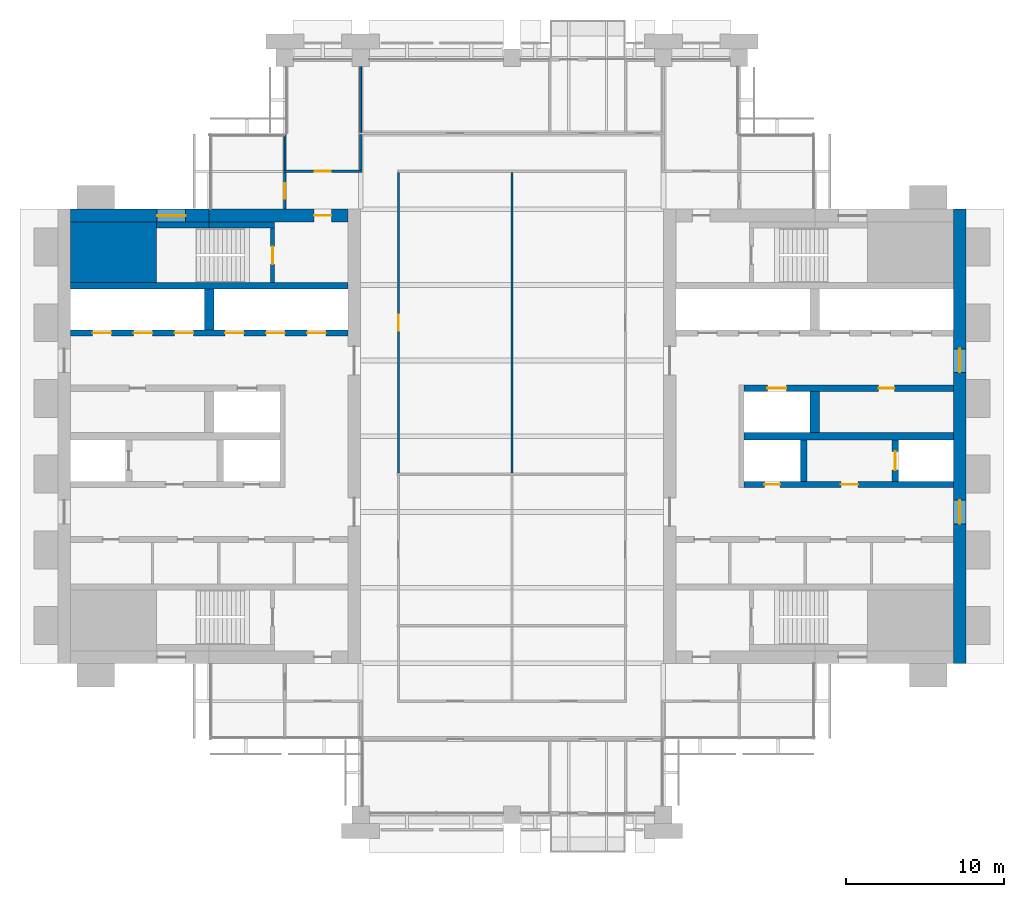
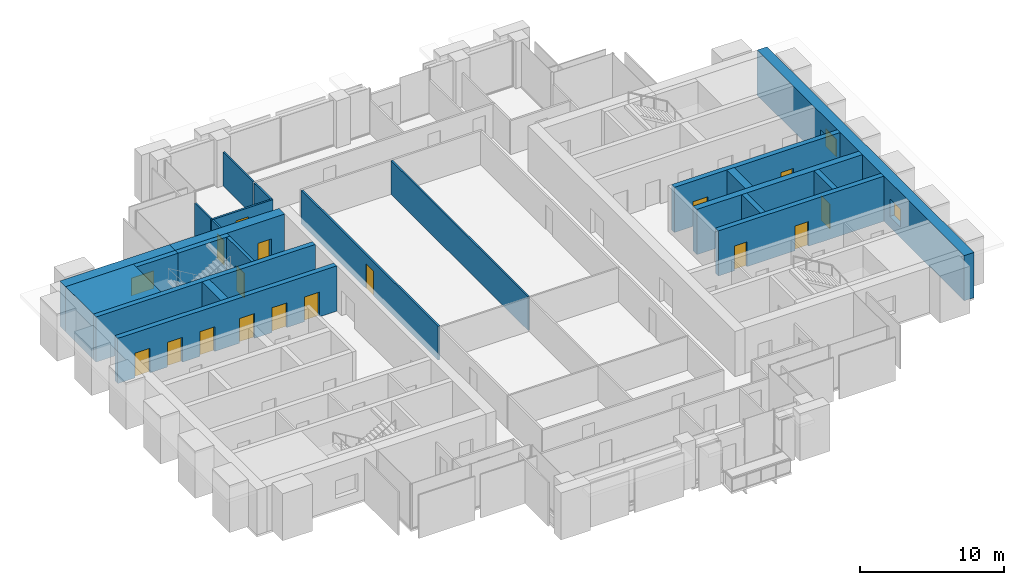
# One storey, part 10 of 14: 23 walls, 16 doors, 3 windows, 19 openings.
"""IFC4 building model written with IfcOpenShell, lengths in metres."""

from ifc_helpers import new_model, si_unit, direction, frame, frame_2d, origin, place, context, subcontext, project, spatial, rectangle, extrude, material, layer, layer_set, type_object, element, fill, save


model = new_model("IFC4")

# Units and contexts
model_context = context("Model", 3, precision=1e-05, world=origin(), true_north=direction((0.0, 1.0)))
body_context = subcontext(model_context, "Body", "Model", "MODEL_VIEW")
ifc_project = project(units=[si_unit("LENGTHUNIT", "METRE"), si_unit("AREAUNIT", "SQUARE_METRE"), si_unit("VOLUMEUNIT", "CUBIC_METRE"), si_unit("PLANEANGLEUNIT", "RADIAN"), si_unit("MASSUNIT", "GRAM", prefix="KILO")], contexts=[model_context])

# Site, building, storey
site_placement = place(None, origin())
site = spatial("IfcSite", under=ifc_project, at=site_placement, CompositionType="ELEMENT")
building_placement = place(site_placement, origin())
building = spatial("IfcBuilding", under=site, at=building_placement, Name="Baori Bourse Tower", CompositionType="ELEMENT")
storey_placement = place(building_placement, frame((0.0, 0.0, 197.199951171875)))
storey = spatial("IfcBuildingStorey", under=building, at=storey_placement, Name="L42", CompositionType="ELEMENT", Elevation=197.199951171875)

# Wall
ifc_material_1 = material(Name="Concrete f'c 50 MPa", Category="concrete")
wall_type_1 = type_object("IfcWallType", Name="Core corner block f'c 50", PredefinedType="SHEAR", material=ifc_material_1)
wall_1_placement = place(storey_placement, frame((0.800048828125, 35.675048828125, 0.0), z_axis=(0.0, 0.0, 1.0), x_axis=(1.0, 0.0, 0.0)))
element("IfcWall", 1, at=wall_1_placement, inside=storey, type_object=wall_type_1, Name="Core wall W24", PredefinedType="SHEAR", context=body_context, shape_type="SweptSolid", body=[
    extrude(rectangle(XDim=5.449951171875, YDim=3.85009765625, at=frame_2d((2.72509765625, 0.0))), origin(), (0.0, 0.0, 1.0), 3.840087890625),
])

# Wall, opening, window
ifc_material_2 = material(Name="Concrete f'c 50 MPa", Category="concrete")
ifc_layer_1 = layer(ifc_material_2, 0.800048828125)
ifc_layer_set_1 = layer_set([ifc_layer_1], Name="Core wall 800 f'c 50")
wall_type_2 = type_object("IfcWallType", Name="Core wall 800 f'c 50", PredefinedType="SHEAR", material=ifc_layer_set_1)
wall_2_placement = place(storey_placement, frame((0.800048828125, 38.0, 0.0), z_axis=(0.0, 0.0, 1.0), x_axis=(1.0, 0.0, 0.0)))
wall_2 = element("IfcWall", 2, at=wall_2_placement, inside=storey, type_object=wall_type_2, Name="Core wall W28", PredefinedType="SHEAR", context=body_context, shape_type="SweptSolid", body=[
    extrude(rectangle(XDim=8.800048828125, YDim=0.800048828125, at=frame_2d((4.39990234375, 0.0))), origin(), (0.0, 0.0, 1.0), 3.840087890625),
])
opening_1_placement = place(wall_2_placement, frame((5.5, 0.0, 0.89990234375)))
opening_1 = element("IfcOpeningElement", 3, at=opening_1_placement, cuts=wall_2, Name="Opening L42-KW104", PredefinedType="OPENING", context=body_context, shape_type="SweptSolid", body=[
    extrude(rectangle(XDim=1.800048828125, YDim=1.5, at=frame_2d((0.89990234375, 0.75))), frame((0.0, 0.409912109375, 0.0), z_axis=(0.0, -1.0, 0.0), x_axis=(1.0, 0.0, 0.0)), (0.0, 0.0, 1.0), 0.820068359375),
])
ifc_material_3 = material(Name="Pale anodised aluminium", Category="aluminium")
window_type_1 = type_object("IfcWindowType", Name="Stair window 1800 x 1500", PartitioningType="SINGLE_PANEL", PredefinedType="WINDOW", material=ifc_material_3)
window_1_placement = place(opening_1_placement, origin())
window_1 = element("IfcWindow", 4, at=window_1_placement, inside=storey, type_object=window_type_1, Name="Stair window W L42 4", OverallHeight=1.5, OverallWidth=1.800048828125, PartitioningType="SINGLE_PANEL", PredefinedType="WINDOW", context=body_context, shape_type="SweptSolid", body=[
    extrude(rectangle(XDim=1.800048828125, YDim=1.5, at=frame_2d((0.89990234375, 0.75))), frame((0.0, 0.030029296875, 0.0), z_axis=(0.0, -1.0, 0.0), x_axis=(1.0, 0.0, 0.0)), (0.0, 0.0, 1.0), 0.06005859375),
])
fill(opening_1, window_1)

# Wall, opening, door
wall_3_placement = place(storey_placement, frame((9.60009765625, 38.0, 0.0), z_axis=(0.0, 0.0, 1.0), x_axis=(1.0, 0.0, 0.0)))
wall_3 = element("IfcWall", 5, at=wall_3_placement, inside=storey, type_object=wall_type_2, Name="Core wall W29", PredefinedType="SHEAR", context=body_context, shape_type="SweptSolid", body=[
    extrude(rectangle(XDim=8.7998046875, YDim=0.800048828125, at=frame_2d((4.39990234375, 0.0))), origin(), (0.0, 0.0, 1.0), 3.840087890625),
])
opening_2_placement = place(wall_3_placement, frame((6.64990234375, 0.0, 0.0)))
opening_2 = element("IfcOpeningElement", 6, at=opening_2_placement, cuts=wall_3, Name="Opening L42-D104", PredefinedType="OPENING", context=body_context, shape_type="SweptSolid", body=[
    extrude(rectangle(XDim=1.10009765625, YDim=2.10009765625, at=frame_2d((0.550048828125, 1.050048828125))), frame((0.0, 0.409912109375, 0.0), z_axis=(0.0, -1.0, 0.0), x_axis=(1.0, 0.0, 0.0)), (0.0, 0.0, 1.0), 0.820068359375),
])
ifc_material_4 = material(Name="Painted steel door", Category="steel")
door_type_1 = type_object("IfcDoorType", Name="Stair door 1100", OperationType="SINGLE_SWING_LEFT", PredefinedType="DOOR", material=ifc_material_4)
door_1_placement = place(opening_2_placement, origin())
door_1 = element("IfcDoor", 7, at=door_1_placement, inside=storey, type_object=door_type_1, Name="Stair vestibule door B W L42", OperationType="SINGLE_SWING_LEFT", OverallHeight=2.10009765625, OverallWidth=1.10009765625, PredefinedType="DOOR", context=body_context, shape_type="SweptSolid", body=[
    extrude(rectangle(XDim=1.10009765625, YDim=2.10009765625, at=frame_2d((0.550048828125, 1.050048828125))), frame((0.0, 0.02490234375, 0.0), z_axis=(0.0, -1.0, 0.0), x_axis=(1.0, 0.0, 0.0)), (0.0, 0.0, 1.0), 0.050048828125),
])
fill(opening_2, door_1)

# Wall, openings, windows
wall_4_placement = place(storey_placement, frame((57.199951171875, 38.39990234375, 0.0), z_axis=(0.0, 0.0, 1.0), x_axis=(0.0, -1.0, 0.0)))
wall_4 = element("IfcWall", 8, at=wall_4_placement, inside=storey, type_object=wall_type_2, Name="Core wall E01", PredefinedType="SHEAR", context=body_context, shape_type="SweptSolid", body=[
    extrude(rectangle(XDim=28.7998046875, YDim=0.800048828125, at=frame_2d((14.39990234375, 0.0))), origin(), (0.0, 0.0, 1.0), 3.840087890625),
])
opening_3_placement = place(wall_4_placement, frame((18.449951171875, 0.0, 0.89990234375)))
opening_3 = element("IfcOpeningElement", 9, at=opening_3_placement, cuts=wall_4, Name="Opening L42-KW201", PredefinedType="OPENING", context=body_context, shape_type="SweptSolid", body=[
    extrude(rectangle(XDim=1.5, YDim=1.5, at=frame_2d((0.75, 0.75))), frame((0.0, 0.409912109375, 0.0), z_axis=(0.0, -1.0, 0.0), x_axis=(1.0, 0.0, 0.0)), (0.0, 0.0, 1.0), 0.820068359375),
])
opening_4_placement = place(wall_4_placement, frame((8.85009765625, 0.0, 0.89990234375)))
opening_4 = element("IfcOpeningElement", 10, at=opening_4_placement, cuts=wall_4, Name="Opening L42-KW202", PredefinedType="OPENING", context=body_context, shape_type="SweptSolid", body=[
    extrude(rectangle(XDim=1.5, YDim=1.5, at=frame_2d((0.75, 0.75))), frame((0.0, 0.409912109375, 0.0), z_axis=(0.0, -1.0, 0.0), x_axis=(1.0, 0.0, 0.0)), (0.0, 0.0, 1.0), 0.820068359375),
])
ifc_material_5 = material(Name="Pale anodised aluminium", Category="aluminium")
window_type_2 = type_object("IfcWindowType", Name="Lobby window 1500 x 1500", PartitioningType="SINGLE_PANEL", PredefinedType="WINDOW", material=ifc_material_5)
window_2_placement = place(opening_3_placement, origin())
window_2 = element("IfcWindow", 11, at=window_2_placement, inside=storey, type_object=window_type_2, Name="Outer wall window E L42 1", OverallHeight=1.5, OverallWidth=1.5, PartitioningType="SINGLE_PANEL", PredefinedType="WINDOW", context=body_context, shape_type="SweptSolid", body=[
    extrude(rectangle(XDim=1.5, YDim=1.5, at=frame_2d((0.75, 0.75))), frame((0.0, 0.030029296875, 0.0), z_axis=(0.0, -1.0, 0.0), x_axis=(1.0, 0.0, 0.0)), (0.0, 0.0, 1.0), 0.06005859375),
])
fill(opening_3, window_2)
window_3_placement = place(opening_4_placement, origin())
window_3 = element("IfcWindow", 12, at=window_3_placement, inside=storey, type_object=window_type_2, Name="Outer wall window E L42 2", OverallHeight=1.5, OverallWidth=1.5, PartitioningType="SINGLE_PANEL", PredefinedType="WINDOW", context=body_context, shape_type="SweptSolid", body=[
    extrude(rectangle(XDim=1.5, YDim=1.5, at=frame_2d((0.75, 0.75))), frame((0.0, 0.030029296875, 0.0), z_axis=(0.0, -1.0, 0.0), x_axis=(1.0, 0.0, 0.0)), (0.0, 0.0, 1.0), 0.06005859375),
])
fill(opening_4, window_3)

# Wall, opening, door
ifc_material_6 = material(Name="Gypsum board partition")
ifc_layer_2 = layer(ifc_material_6, 0.14990234375)
ifc_layer_set_2 = layer_set([ifc_layer_2], Name="Corridor partition 150")
wall_type_3 = type_object("IfcWallType", Name="Corridor partition 150", PredefinedType="PARTITIONING", material=ifc_layer_set_2)
wall_5_placement = place(storey_placement, frame((14.324951171875, 40.800048828125, 0.0), z_axis=(0.0, 0.0, 1.0), x_axis=(1.0, 0.0, 0.0)))
wall_5 = element("IfcWall", 13, at=wall_5_placement, inside=storey, type_object=wall_type_3, Name="Partition", PredefinedType="PARTITIONING", context=body_context, shape_type="SweptSolid", body=[
    extrude(rectangle(XDim=4.949951171875, YDim=0.14990234375, at=frame_2d((2.47509765625, 0.0))), origin(), (0.0, 0.0, 1.0), 2.869873046875),
])
opening_5_placement = place(wall_5_placement, frame((1.97509765625, 0.0, 0.0)))
opening_5 = element("IfcOpeningElement", 14, at=opening_5_placement, cuts=wall_5, Name="Opening L42-D08", PredefinedType="OPENING", context=body_context, shape_type="SweptSolid", body=[
    extrude(rectangle(XDim=1.0, YDim=2.10009765625, at=frame_2d((0.5, 1.050048828125))), frame((0.0, 0.0849609375, 0.0), z_axis=(0.0, -1.0, 0.0), x_axis=(1.0, 0.0, 0.0)), (0.0, 0.0, 1.0), 0.169921875),
])
ifc_material_7 = material(Name="Timber door leaf", Category="wood")
door_type_2 = type_object("IfcDoorType", Name="Door 1000 x 2100", OperationType="SINGLE_SWING_LEFT", PredefinedType="DOOR", material=ifc_material_7)
door_2_placement = place(opening_5_placement, origin())
door_2 = element("IfcDoor", 15, at=door_2_placement, inside=storey, type_object=door_type_2, Name="Door", OperationType="SINGLE_SWING_LEFT", OverallHeight=2.10009765625, OverallWidth=1.0, PredefinedType="DOOR", context=body_context, shape_type="SweptSolid", body=[
    extrude(rectangle(XDim=1.0, YDim=2.10009765625, at=frame_2d((0.5, 1.050048828125))), frame((0.0, 0.02490234375, 0.0), z_axis=(0.0, -1.0, 0.0), x_axis=(1.0, 0.0, 0.0)), (0.0, 0.0, 1.0), 0.050048828125),
])
fill(opening_5, door_2)

wall_6_placement = place(storey_placement, frame((14.39990234375, 38.39990234375, 0.0), z_axis=(0.0, 0.0, 1.0), x_axis=(0.0, 1.0, 0.0)))
wall_6 = element("IfcWall", 16, at=wall_6_placement, inside=storey, type_object=wall_type_3, Name="Partition", PredefinedType="PARTITIONING", context=body_context, shape_type="SweptSolid", body=[
    extrude(rectangle(XDim=2.3251953125, YDim=0.14990234375, at=frame_2d((1.16259765625, 0.0))), origin(), (0.0, 0.0, 1.0), 2.869873046875),
])
opening_6_placement = place(wall_6_placement, frame((0.66259765625, 0.0, 0.0)))
opening_6 = element("IfcOpeningElement", 17, at=opening_6_placement, cuts=wall_6, Name="Opening L42-D14", PredefinedType="OPENING", context=body_context, shape_type="SweptSolid", body=[
    extrude(rectangle(XDim=1.0, YDim=2.10009765625, at=frame_2d((0.5, 1.050048828125))), frame((0.0, 0.0849609375, 0.0), z_axis=(0.0, -1.0, 0.0), x_axis=(1.0, 0.0, 0.0)), (0.0, 0.0, 1.0), 0.169921875),
])
door_3_placement = place(opening_6_placement, origin())
door_3 = element("IfcDoor", 18, at=door_3_placement, inside=storey, type_object=door_type_2, Name="Door", OperationType="SINGLE_SWING_RIGHT", OverallHeight=2.10009765625, OverallWidth=1.0, PredefinedType="DOOR", context=body_context, shape_type="SweptSolid", body=[
    extrude(rectangle(XDim=1.0, YDim=2.10009765625, at=frame_2d((0.5, 1.050048828125))), frame((0.0, 0.02490234375, 0.0), z_axis=(0.0, -1.0, 0.0), x_axis=(1.0, 0.0, 0.0)), (0.0, 0.0, 1.0), 0.050048828125),
])
fill(opening_6, door_3)

# Wall
wall_7_placement = place(storey_placement, frame((19.199951171875, 40.875, 0.0), z_axis=(0.0, 0.0, 1.0), x_axis=(0.0, 1.0, 0.0)))
element("IfcWall", 19, at=wall_7_placement, inside=storey, type_object=wall_type_3, Name="Partition", PredefinedType="PARTITIONING", context=body_context, shape_type="SweptSolid", body=[
    extrude(rectangle(XDim=2.25, YDim=0.14990234375, at=frame_2d((1.125, 0.0))), origin(), (0.0, 0.0, 1.0), 2.869873046875),
])

# Wall, opening, door
wall_8_placement = place(storey_placement, frame((21.60009765625, 21.66259765625, 0.0), z_axis=(0.0, 0.0, 1.0), x_axis=(0.0, 1.0, 0.0)))
wall_8 = element("IfcWall", 20, at=wall_8_placement, inside=storey, type_object=wall_type_3, Name="Partition", PredefinedType="PARTITIONING", context=body_context, shape_type="SweptSolid", body=[
    extrude(rectangle(XDim=19.0625, YDim=0.14990234375, at=frame_2d((9.53125, 0.0))), origin(), (0.0, 0.0, 1.0), 2.869873046875),
])
opening_7_placement = place(wall_8_placement, frame((9.03125, 0.0, 0.0)))
opening_7 = element("IfcOpeningElement", 21, at=opening_7_placement, cuts=wall_8, Name="Opening L42-D16", PredefinedType="OPENING", context=body_context, shape_type="SweptSolid", body=[
    extrude(rectangle(XDim=1.0, YDim=2.10009765625, at=frame_2d((0.5, 1.050048828125))), frame((0.0, 0.0849609375, 0.0), z_axis=(0.0, -1.0, 0.0), x_axis=(1.0, 0.0, 0.0)), (0.0, 0.0, 1.0), 0.169921875),
])
door_4_placement = place(opening_7_placement, origin())
door_4 = element("IfcDoor", 22, at=door_4_placement, inside=storey, type_object=door_type_2, Name="Door", OperationType="SINGLE_SWING_LEFT", OverallHeight=2.10009765625, OverallWidth=1.0, PredefinedType="DOOR", context=body_context, shape_type="SweptSolid", body=[
    extrude(rectangle(XDim=1.0, YDim=2.10009765625, at=frame_2d((0.5, 1.050048828125))), frame((0.0, 0.02490234375, 0.0), z_axis=(0.0, -1.0, 0.0), x_axis=(1.0, 0.0, 0.0)), (0.0, 0.0, 1.0), 0.050048828125),
])
fill(opening_7, door_4)

# Walls
ifc_material_8 = material(Name="Gypsum board partition")
ifc_layer_3 = layer(ifc_material_8, 0.125)
ifc_layer_set_3 = layer_set([ifc_layer_3], Name="Partition 125")
wall_type_4 = type_object("IfcWallType", Name="Partition 125", PredefinedType="PARTITIONING", material=ifc_layer_set_3)
wall_9_placement = place(storey_placement, frame((14.39990234375, 40.875, 0.0), z_axis=(0.0, 0.0, 1.0), x_axis=(0.0, 1.0, 0.0)))
element("IfcWall", 23, at=wall_9_placement, inside=storey, type_object=wall_type_4, Name="Partition", PredefinedType="PARTITIONING", context=body_context, shape_type="SweptSolid", body=[
    extrude(rectangle(XDim=2.22509765625, YDim=0.125, at=frame_2d((1.112548828125, 0.0))), origin(), (0.0, 0.0, 1.0), 2.869873046875),
])
wall_10_placement = place(storey_placement, frame((19.199951171875, 43.27490234375, 0.0), z_axis=(0.0, 0.0, 1.0), x_axis=(0.0, 1.0, 0.0)))
element("IfcWall", 24, at=wall_10_placement, inside=storey, type_object=wall_type_4, Name="Partition", PredefinedType="PARTITIONING", context=body_context, shape_type="SweptSolid", body=[
    extrude(rectangle(XDim=4.175048828125, YDim=0.125, at=frame_2d((2.08740234375, 0.0))), origin(), (0.0, 0.0, 1.0), 2.869873046875),
])
wall_11_placement = place(storey_placement, frame((28.800048828125, 21.66259765625, 0.0), z_axis=(0.0, 0.0, 1.0), x_axis=(0.0, 1.0, 0.0)))
element("IfcWall", 25, at=wall_11_placement, inside=storey, type_object=wall_type_4, Name="Partition", PredefinedType="PARTITIONING", context=body_context, shape_type="SweptSolid", body=[
    extrude(rectangle(XDim=19.0625, YDim=0.125, at=frame_2d((9.53125, 0.0))), origin(), (0.0, 0.0, 1.0), 2.869873046875),
])

# Wall, opening, door
ifc_material_9 = material(Name="Concrete f'c 50 MPa", Category="concrete")
ifc_layer_4 = layer(ifc_material_9, 0.25)
ifc_layer_set_4 = layer_set([ifc_layer_4], Name="Shaft wall 250 f'c 50")
wall_type_5 = type_object("IfcWallType", Name="Shaft wall 250 f'c 50", PredefinedType="SHEAR", material=ifc_layer_set_4)
wall_12_placement = place(storey_placement, frame((13.625, 33.75, 0.0), z_axis=(0.0, 0.0, 1.0), x_axis=(0.0, 1.0, 0.0)))
wall_12 = element("IfcWall", 26, at=wall_12_placement, inside=storey, type_object=wall_type_5, Name="Core wall W25", PredefinedType="SHEAR", context=body_context, shape_type="SweptSolid", body=[
    extrude(rectangle(XDim=3.449951171875, YDim=0.25, at=frame_2d((1.72509765625, 0.0))), origin(), (0.0, 0.0, 1.0), 3.840087890625),
])
opening_8_placement = place(wall_12_placement, frame((1.175048828125, 0.0, 0.0)))
opening_8 = element("IfcOpeningElement", 27, at=opening_8_placement, cuts=wall_12, Name="Opening L42-D103", PredefinedType="OPENING", context=body_context, shape_type="SweptSolid", body=[
    extrude(rectangle(XDim=1.10009765625, YDim=2.10009765625, at=frame_2d((0.550048828125, 1.050048828125))), frame((0.0, 0.135009765625, 0.0), z_axis=(0.0, -1.0, 0.0), x_axis=(1.0, 0.0, 0.0)), (0.0, 0.0, 1.0), 0.27001953125),
])
door_5_placement = place(opening_8_placement, origin())
door_5 = element("IfcDoor", 28, at=door_5_placement, inside=storey, type_object=door_type_1, Name="Stair door B W L42", OperationType="SINGLE_SWING_LEFT", OverallHeight=2.10009765625, OverallWidth=1.10009765625, PredefinedType="DOOR", context=body_context, shape_type="SweptSolid", body=[
    extrude(rectangle(XDim=1.10009765625, YDim=2.10009765625, at=frame_2d((0.550048828125, 1.050048828125))), frame((0.0, 0.02490234375, 0.0), z_axis=(0.0, -1.0, 0.0), x_axis=(1.0, 0.0, 0.0)), (0.0, 0.0, 1.0), 0.050048828125),
])
fill(opening_8, door_5)

# Wall, openings, doors
ifc_material_10 = material(Name="Concrete f'c 50 MPa", Category="concrete")
ifc_layer_5 = layer(ifc_material_10, 0.39990234375)
ifc_layer_set_5 = layer_set([ifc_layer_5], Name="Shaft wall 400 f'c 50")
wall_type_6 = type_object("IfcWallType", Name="Shaft wall 400 f'c 50", PredefinedType="SHEAR", material=ifc_layer_set_5)
wall_13_placement = place(storey_placement, frame((0.800048828125, 30.550048828125, 0.0), z_axis=(0.0, 0.0, 1.0), x_axis=(1.0, 0.0, 0.0)))
wall_13 = element("IfcWall", 29, at=wall_13_placement, inside=storey, type_object=wall_type_6, Name="Core wall W21", PredefinedType="SHEAR", context=body_context, shape_type="SweptSolid", body=[
    extrude(rectangle(XDim=17.599853515625, YDim=0.39990234375, at=frame_2d((8.7998046875, 0.0))), origin(), (0.0, 0.0, 1.0), 3.840087890625),
])
opening_9_placement = place(wall_13_placement, frame((1.39990234375, 0.0, 0.0)))
opening_9 = element("IfcOpeningElement", 30, at=opening_9_placement, cuts=wall_13, Name="Opening L42-D114", PredefinedType="OPENING", context=body_context, shape_type="SweptSolid", body=[
    extrude(rectangle(XDim=1.199951171875, YDim=2.10009765625, at=frame_2d((0.60009765625, 1.050048828125))), frame((0.0, 0.2099609375, 0.0), z_axis=(0.0, -1.0, 0.0), x_axis=(1.0, 0.0, 0.0)), (0.0, 0.0, 1.0), 0.419921875),
])
opening_10_placement = place(wall_13_placement, frame((4.0, 0.0, 0.0)))
opening_10 = element("IfcOpeningElement", 31, at=opening_10_placement, cuts=wall_13, Name="Opening L42-D115", PredefinedType="OPENING", context=body_context, shape_type="SweptSolid", body=[
    extrude(rectangle(XDim=1.199951171875, YDim=2.10009765625, at=frame_2d((0.60009765625, 1.050048828125))), frame((0.0, 0.2099609375, 0.0), z_axis=(0.0, -1.0, 0.0), x_axis=(1.0, 0.0, 0.0)), (0.0, 0.0, 1.0), 0.419921875),
])
opening_11_placement = place(wall_13_placement, frame((6.60009765625, 0.0, 0.0)))
opening_11 = element("IfcOpeningElement", 32, at=opening_11_placement, cuts=wall_13, Name="Opening L42-D116", PredefinedType="OPENING", context=body_context, shape_type="SweptSolid", body=[
    extrude(rectangle(XDim=1.199951171875, YDim=2.10009765625, at=frame_2d((0.60009765625, 1.050048828125))), frame((0.0, 0.2099609375, 0.0), z_axis=(0.0, -1.0, 0.0), x_axis=(1.0, 0.0, 0.0)), (0.0, 0.0, 1.0), 0.419921875),
])
opening_12_placement = place(wall_13_placement, frame((9.800048828125, 0.0, 0.0)))
opening_12 = element("IfcOpeningElement", 33, at=opening_12_placement, cuts=wall_13, Name="Opening L42-D117", PredefinedType="OPENING", context=body_context, shape_type="SweptSolid", body=[
    extrude(rectangle(XDim=1.199951171875, YDim=2.10009765625, at=frame_2d((0.60009765625, 1.050048828125))), frame((0.0, 0.2099609375, 0.0), z_axis=(0.0, -1.0, 0.0), x_axis=(1.0, 0.0, 0.0)), (0.0, 0.0, 1.0), 0.419921875),
])
opening_13_placement = place(wall_13_placement, frame((12.39990234375, 0.0, 0.0)))
opening_13 = element("IfcOpeningElement", 34, at=opening_13_placement, cuts=wall_13, Name="Opening L42-D118", PredefinedType="OPENING", context=body_context, shape_type="SweptSolid", body=[
    extrude(rectangle(XDim=1.199951171875, YDim=2.10009765625, at=frame_2d((0.60009765625, 1.050048828125))), frame((0.0, 0.2099609375, 0.0), z_axis=(0.0, -1.0, 0.0), x_axis=(1.0, 0.0, 0.0)), (0.0, 0.0, 1.0), 0.419921875),
])
opening_14_placement = place(wall_13_placement, frame((15.0, 0.0, 0.0)))
opening_14 = element("IfcOpeningElement", 35, at=opening_14_placement, cuts=wall_13, Name="Opening L42-D119", PredefinedType="OPENING", context=body_context, shape_type="SweptSolid", body=[
    extrude(rectangle(XDim=1.199951171875, YDim=2.10009765625, at=frame_2d((0.60009765625, 1.050048828125))), frame((0.0, 0.2099609375, 0.0), z_axis=(0.0, -1.0, 0.0), x_axis=(1.0, 0.0, 0.0)), (0.0, 0.0, 1.0), 0.419921875),
])
ifc_material_11 = material(Name="Stainless steel door", Category="steel")
door_type_3 = type_object("IfcDoorType", Name="Lift landing door", OperationType="DOUBLE_DOOR_SLIDING", PredefinedType="DOOR", material=ifc_material_11)
door_6_placement = place(opening_9_placement, origin())
door_6 = element("IfcDoor", 36, at=door_6_placement, inside=storey, type_object=door_type_3, Name="Lift landing door HR1 W L42", OperationType="DOUBLE_DOOR_SLIDING", OverallHeight=2.10009765625, OverallWidth=1.199951171875, PredefinedType="DOOR", context=body_context, shape_type="SweptSolid", body=[
    extrude(rectangle(XDim=1.199951171875, YDim=2.10009765625, at=frame_2d((0.60009765625, 1.050048828125))), frame((0.0, 0.02490234375, 0.0), z_axis=(0.0, -1.0, 0.0), x_axis=(1.0, 0.0, 0.0)), (0.0, 0.0, 1.0), 0.050048828125),
])
fill(opening_9, door_6)
door_7_placement = place(opening_10_placement, origin())
door_7 = element("IfcDoor", 37, at=door_7_placement, inside=storey, type_object=door_type_3, Name="Lift landing door HR2 W L42", OperationType="DOUBLE_DOOR_SLIDING", OverallHeight=2.10009765625, OverallWidth=1.199951171875, PredefinedType="DOOR", context=body_context, shape_type="SweptSolid", body=[
    extrude(rectangle(XDim=1.199951171875, YDim=2.10009765625, at=frame_2d((0.60009765625, 1.050048828125))), frame((0.0, 0.02490234375, 0.0), z_axis=(0.0, -1.0, 0.0), x_axis=(1.0, 0.0, 0.0)), (0.0, 0.0, 1.0), 0.050048828125),
])
fill(opening_10, door_7)
door_8_placement = place(opening_11_placement, origin())
door_8 = element("IfcDoor", 38, at=door_8_placement, inside=storey, type_object=door_type_3, Name="Lift landing door HR3 W L42", OperationType="DOUBLE_DOOR_SLIDING", OverallHeight=2.10009765625, OverallWidth=1.199951171875, PredefinedType="DOOR", context=body_context, shape_type="SweptSolid", body=[
    extrude(rectangle(XDim=1.199951171875, YDim=2.10009765625, at=frame_2d((0.60009765625, 1.050048828125))), frame((0.0, 0.02490234375, 0.0), z_axis=(0.0, -1.0, 0.0), x_axis=(1.0, 0.0, 0.0)), (0.0, 0.0, 1.0), 0.050048828125),
])
fill(opening_11, door_8)
door_9_placement = place(opening_12_placement, origin())
door_9 = element("IfcDoor", 39, at=door_9_placement, inside=storey, type_object=door_type_3, Name="Lift landing door HR4 W L42", OperationType="DOUBLE_DOOR_SLIDING", OverallHeight=2.10009765625, OverallWidth=1.199951171875, PredefinedType="DOOR", context=body_context, shape_type="SweptSolid", body=[
    extrude(rectangle(XDim=1.199951171875, YDim=2.10009765625, at=frame_2d((0.60009765625, 1.050048828125))), frame((0.0, 0.02490234375, 0.0), z_axis=(0.0, -1.0, 0.0), x_axis=(1.0, 0.0, 0.0)), (0.0, 0.0, 1.0), 0.050048828125),
])
fill(opening_12, door_9)
door_10_placement = place(opening_13_placement, origin())
door_10 = element("IfcDoor", 40, at=door_10_placement, inside=storey, type_object=door_type_3, Name="Lift landing door HR5 W L42", OperationType="DOUBLE_DOOR_SLIDING", OverallHeight=2.10009765625, OverallWidth=1.199951171875, PredefinedType="DOOR", context=body_context, shape_type="SweptSolid", body=[
    extrude(rectangle(XDim=1.199951171875, YDim=2.10009765625, at=frame_2d((0.60009765625, 1.050048828125))), frame((0.0, 0.02490234375, 0.0), z_axis=(0.0, -1.0, 0.0), x_axis=(1.0, 0.0, 0.0)), (0.0, 0.0, 1.0), 0.050048828125),
])
fill(opening_13, door_10)
door_11_placement = place(opening_14_placement, origin())
door_11 = element("IfcDoor", 41, at=door_11_placement, inside=storey, type_object=door_type_3, Name="Lift landing door HR6 W L42", OperationType="DOUBLE_DOOR_SLIDING", OverallHeight=2.10009765625, OverallWidth=1.199951171875, PredefinedType="DOOR", context=body_context, shape_type="SweptSolid", body=[
    extrude(rectangle(XDim=1.199951171875, YDim=2.10009765625, at=frame_2d((0.60009765625, 1.050048828125))), frame((0.0, 0.02490234375, 0.0), z_axis=(0.0, -1.0, 0.0), x_axis=(1.0, 0.0, 0.0)), (0.0, 0.0, 1.0), 0.050048828125),
])
fill(opening_14, door_11)

# Walls
wall_14_placement = place(storey_placement, frame((0.800048828125, 33.550048828125, 0.0), z_axis=(0.0, 0.0, 1.0), x_axis=(1.0, 0.0, 0.0)))
element("IfcWall", 42, at=wall_14_placement, inside=storey, type_object=wall_type_6, Name="Core wall W23", PredefinedType="SHEAR", context=body_context, shape_type="SweptSolid", body=[
    extrude(rectangle(XDim=17.599853515625, YDim=0.39990234375, at=frame_2d((8.7998046875, 0.0))), origin(), (0.0, 0.0, 1.0), 3.840087890625),
])
wall_15_placement = place(storey_placement, frame((6.25, 37.39990234375, 0.0), z_axis=(0.0, 0.0, 1.0), x_axis=(1.0, 0.0, 0.0)))
element("IfcWall", 43, at=wall_15_placement, inside=storey, type_object=wall_type_6, Name="Core wall W26", PredefinedType="SHEAR", context=body_context, shape_type="SweptSolid", body=[
    extrude(rectangle(XDim=3.35009765625, YDim=0.39990234375, at=frame_2d((1.675048828125, 0.0))), origin(), (0.0, 0.0, 1.0), 3.840087890625),
])
wall_16_placement = place(storey_placement, frame((9.60009765625, 37.39990234375, 0.0), z_axis=(0.0, 0.0, 1.0), x_axis=(1.0, 0.0, 0.0)))
element("IfcWall", 44, at=wall_16_placement, inside=storey, type_object=wall_type_6, Name="Core wall W27", PredefinedType="SHEAR", context=body_context, shape_type="SweptSolid", body=[
    extrude(rectangle(XDim=4.14990234375, YDim=0.39990234375, at=frame_2d((2.074951171875, 0.0))), origin(), (0.0, 0.0, 1.0), 3.840087890625),
])

# Wall, openings, doors
wall_17_placement = place(storey_placement, frame((43.5, 20.949951171875, 0.0), z_axis=(0.0, 0.0, 1.0), x_axis=(1.0, 0.0, 0.0)))
wall_17 = element("IfcWall", 45, at=wall_17_placement, inside=storey, type_object=wall_type_6, Name="Core wall E14", PredefinedType="SHEAR", context=body_context, shape_type="SweptSolid", body=[
    extrude(rectangle(XDim=13.300048828125, YDim=0.39990234375, at=frame_2d((6.64990234375, 0.0))), origin(), (0.0, 0.0, 1.0), 3.840087890625),
])
opening_15_placement = place(wall_17_placement, frame((6.14990234375, 0.0, 0.0)))
opening_15 = element("IfcOpeningElement", 46, at=opening_15_placement, cuts=wall_17, Name="Opening L42-D205", PredefinedType="OPENING", context=body_context, shape_type="SweptSolid", body=[
    extrude(rectangle(XDim=1.10009765625, YDim=2.10009765625, at=frame_2d((0.550048828125, 1.050048828125))), frame((0.0, 0.2099609375, 0.0), z_axis=(0.0, -1.0, 0.0), x_axis=(1.0, 0.0, 0.0)), (0.0, 0.0, 1.0), 0.419921875),
])
opening_16_placement = place(wall_17_placement, frame((1.300048828125, 0.0, 0.0)))
opening_16 = element("IfcOpeningElement", 47, at=opening_16_placement, cuts=wall_17, Name="Opening L42-D206", PredefinedType="OPENING", context=body_context, shape_type="SweptSolid", body=[
    extrude(rectangle(XDim=1.0, YDim=2.10009765625, at=frame_2d((0.5, 1.050048828125))), frame((0.0, 0.2099609375, 0.0), z_axis=(0.0, -1.0, 0.0), x_axis=(1.0, 0.0, 0.0)), (0.0, 0.0, 1.0), 0.419921875),
])
ifc_material_12 = material(Name="Painted steel door", Category="steel")
door_type_4 = type_object("IfcDoorType", Name="Lobby door 1100", OperationType="SINGLE_SWING_LEFT", PredefinedType="DOOR", material=ifc_material_12)
door_12_placement = place(opening_15_placement, origin())
door_12 = element("IfcDoor", 48, at=door_12_placement, inside=storey, type_object=door_type_4, Name="Firefighting lobby door E L42", OperationType="SINGLE_SWING_LEFT", OverallHeight=2.10009765625, OverallWidth=1.10009765625, PredefinedType="DOOR", context=body_context, shape_type="SweptSolid", body=[
    extrude(rectangle(XDim=1.10009765625, YDim=2.10009765625, at=frame_2d((0.550048828125, 1.050048828125))), frame((0.0, 0.02490234375, 0.0), z_axis=(0.0, -1.0, 0.0), x_axis=(1.0, 0.0, 0.0)), (0.0, 0.0, 1.0), 0.050048828125),
])
fill(opening_15, door_12)
ifc_material_13 = material(Name="Painted steel door", Category="steel")
door_type_5 = type_object("IfcDoorType", Name="Shaft door 1000", OperationType="SINGLE_SWING_LEFT", PredefinedType="DOOR", material=ifc_material_13)
door_13_placement = place(opening_16_placement, origin())
door_13 = element("IfcDoor", 49, at=door_13_placement, inside=storey, type_object=door_type_5, Name="Riser room door E L42", OperationType="SINGLE_SWING_LEFT", OverallHeight=2.10009765625, OverallWidth=1.0, PredefinedType="DOOR", context=body_context, shape_type="SweptSolid", body=[
    extrude(rectangle(XDim=1.0, YDim=2.10009765625, at=frame_2d((0.5, 1.050048828125))), frame((0.0, 0.02490234375, 0.0), z_axis=(0.0, -1.0, 0.0), x_axis=(1.0, 0.0, 0.0)), (0.0, 0.0, 1.0), 0.050048828125),
])
fill(opening_16, door_13)

# Wall, opening, door
wall_18_placement = place(storey_placement, frame((53.10009765625, 21.14990234375, 0.0), z_axis=(0.0, 0.0, 1.0), x_axis=(0.0, 1.0, 0.0)))
wall_18 = element("IfcWall", 50, at=wall_18_placement, inside=storey, type_object=wall_type_6, Name="Core wall E16", PredefinedType="SHEAR", context=body_context, shape_type="SweptSolid", body=[
    extrude(rectangle(XDim=2.60009765625, YDim=0.39990234375, at=frame_2d((1.300048828125, 0.0))), origin(), (0.0, 0.0, 1.0), 3.840087890625),
])
opening_17_placement = place(wall_18_placement, frame((0.699951171875, 0.0, 0.0)))
opening_17 = element("IfcOpeningElement", 51, at=opening_17_placement, cuts=wall_18, Name="Opening L42-D221", PredefinedType="OPENING", context=body_context, shape_type="SweptSolid", body=[
    extrude(rectangle(XDim=1.199951171875, YDim=2.10009765625, at=frame_2d((0.60009765625, 1.050048828125))), frame((0.0, 0.2099609375, 0.0), z_axis=(0.0, -1.0, 0.0), x_axis=(1.0, 0.0, 0.0)), (0.0, 0.0, 1.0), 0.419921875),
])
door_14_placement = place(opening_17_placement, origin())
door_14 = element("IfcDoor", 52, at=door_14_placement, inside=storey, type_object=door_type_3, Name="Lift landing door FF2 E L42", OperationType="DOUBLE_DOOR_SLIDING", OverallHeight=2.10009765625, OverallWidth=1.199951171875, PredefinedType="DOOR", context=body_context, shape_type="SweptSolid", body=[
    extrude(rectangle(XDim=1.199951171875, YDim=2.10009765625, at=frame_2d((0.60009765625, 1.050048828125))), frame((0.0, 0.02490234375, 0.0), z_axis=(0.0, -1.0, 0.0), x_axis=(1.0, 0.0, 0.0)), (0.0, 0.0, 1.0), 0.050048828125),
])
fill(opening_17, door_14)

# Wall
wall_19_placement = place(storey_placement, frame((47.300048828125, 21.14990234375, 0.0), z_axis=(0.0, 0.0, 1.0), x_axis=(0.0, 1.0, 0.0)))
element("IfcWall", 53, at=wall_19_placement, inside=storey, type_object=wall_type_6, Name="Core wall E17", PredefinedType="SHEAR", context=body_context, shape_type="SweptSolid", body=[
    extrude(rectangle(XDim=2.60009765625, YDim=0.39990234375, at=frame_2d((1.300048828125, 0.0))), origin(), (0.0, 0.0, 1.0), 3.840087890625),
])

# Wall, openings, doors
wall_20_placement = place(storey_placement, frame((43.5, 27.050048828125, 0.0), z_axis=(0.0, 0.0, 1.0), x_axis=(1.0, 0.0, 0.0)))
wall_20 = element("IfcWall", 54, at=wall_20_placement, inside=storey, type_object=wall_type_6, Name="Core wall E20", PredefinedType="SHEAR", context=body_context, shape_type="SweptSolid", body=[
    extrude(rectangle(XDim=13.300048828125, YDim=0.39990234375, at=frame_2d((6.64990234375, 0.0))), origin(), (0.0, 0.0, 1.0), 3.840087890625),
])
opening_18_placement = place(wall_20_placement, frame((8.550048828125, 0.0, 0.0)))
opening_18 = element("IfcOpeningElement", 55, at=opening_18_placement, cuts=wall_20, Name="Opening L42-D213", PredefinedType="OPENING", context=body_context, shape_type="SweptSolid", body=[
    extrude(rectangle(XDim=1.0, YDim=2.10009765625, at=frame_2d((0.5, 1.050048828125))), frame((0.0, 0.2099609375, 0.0), z_axis=(0.0, -1.0, 0.0), x_axis=(1.0, 0.0, 0.0)), (0.0, 0.0, 1.0), 0.419921875),
])
opening_19_placement = place(wall_20_placement, frame((1.5, 0.0, 0.0)))
opening_19 = element("IfcOpeningElement", 56, at=opening_19_placement, cuts=wall_20, Name="Opening L42-D220", PredefinedType="OPENING", context=body_context, shape_type="SweptSolid", body=[
    extrude(rectangle(XDim=1.199951171875, YDim=2.10009765625, at=frame_2d((0.60009765625, 1.050048828125))), frame((0.0, 0.2099609375, 0.0), z_axis=(0.0, -1.0, 0.0), x_axis=(1.0, 0.0, 0.0)), (0.0, 0.0, 1.0), 0.419921875),
])
ifc_material_14 = material(Name="Painted steel door", Category="steel")
door_type_6 = type_object("IfcDoorType", Name="Core door 1000", OperationType="SINGLE_SWING_LEFT", PredefinedType="DOOR", material=ifc_material_14)
door_15_placement = place(opening_18_placement, origin())
door_15 = element("IfcDoor", 57, at=door_15_placement, inside=storey, type_object=door_type_6, Name="Store Room door E L42", OperationType="SINGLE_SWING_LEFT", OverallHeight=2.10009765625, OverallWidth=1.0, PredefinedType="DOOR", context=body_context, shape_type="SweptSolid", body=[
    extrude(rectangle(XDim=1.0, YDim=2.10009765625, at=frame_2d((0.5, 1.050048828125))), frame((0.0, 0.02490234375, 0.0), z_axis=(0.0, -1.0, 0.0), x_axis=(1.0, 0.0, 0.0)), (0.0, 0.0, 1.0), 0.050048828125),
])
fill(opening_18, door_15)
door_16_placement = place(opening_19_placement, origin())
door_16 = element("IfcDoor", 58, at=door_16_placement, inside=storey, type_object=door_type_3, Name="Lift landing door SV1 E L42", OperationType="DOUBLE_DOOR_SLIDING", OverallHeight=2.10009765625, OverallWidth=1.199951171875, PredefinedType="DOOR", context=body_context, shape_type="SweptSolid", body=[
    extrude(rectangle(XDim=1.199951171875, YDim=2.10009765625, at=frame_2d((0.60009765625, 1.050048828125))), frame((0.0, 0.02490234375, 0.0), z_axis=(0.0, -1.0, 0.0), x_axis=(1.0, 0.0, 0.0)), (0.0, 0.0, 1.0), 0.050048828125),
])
fill(opening_19, door_16)

# Walls
ifc_material_15 = material(Name="Concrete f'c 50 MPa", Category="concrete")
ifc_layer_6 = layer(ifc_material_15, 0.5)
ifc_layer_set_6 = layer_set([ifc_layer_6], Name="Shaft wall 500 f'c 50")
wall_type_7 = type_object("IfcWallType", Name="Shaft wall 500 f'c 50", PredefinedType="SHEAR", material=ifc_layer_set_6)
wall_21_placement = place(storey_placement, frame((43.5, 24.0, 0.0), z_axis=(0.0, 0.0, 1.0), x_axis=(1.0, 0.0, 0.0)))
element("IfcWall", 59, at=wall_21_placement, inside=storey, type_object=wall_type_7, Name="Core wall E18", PredefinedType="SHEAR", context=body_context, shape_type="SweptSolid", body=[
    extrude(rectangle(XDim=13.300048828125, YDim=0.5, at=frame_2d((6.64990234375, 0.0))), origin(), (0.0, 0.0, 1.0), 3.840087890625),
])
ifc_material_16 = material(Name="Concrete f'c 50 MPa", Category="concrete")
ifc_layer_7 = layer(ifc_material_16, 0.60009765625)
ifc_layer_set_7 = layer_set([ifc_layer_7], Name="Shaft wall 600 f'c 50")
wall_type_8 = type_object("IfcWallType", Name="Shaft wall 600 f'c 50", PredefinedType="SHEAR", material=ifc_layer_set_7)
for number, where, z_axis, x_axis, name in (
    (60, (9.60009765625, 30.75, 0.0), (0.0, 0.0, 1.0), (0.0, 1.0, 0.0), "Core wall W22"),
    (61, (48.0, 24.25, 0.0), (0.0, 0.0, 1.0), (0.0, 1.0, 0.0), "Core wall E19"),
):
    element("IfcWall", number, at=place(storey_placement, frame(where, z_axis=z_axis, x_axis=x_axis)), inside=storey, type_object=wall_type_8, Name=name, PredefinedType="SHEAR", context=body_context, shape_type="SweptSolid", body=[
        extrude(rectangle(XDim=2.60009765625, YDim=0.60009765625, at=frame_2d((1.300048828125, 0.0))), origin(), (0.0, 0.0, 1.0), 3.840087890625),
    ])

save(model, "model.ifc")
